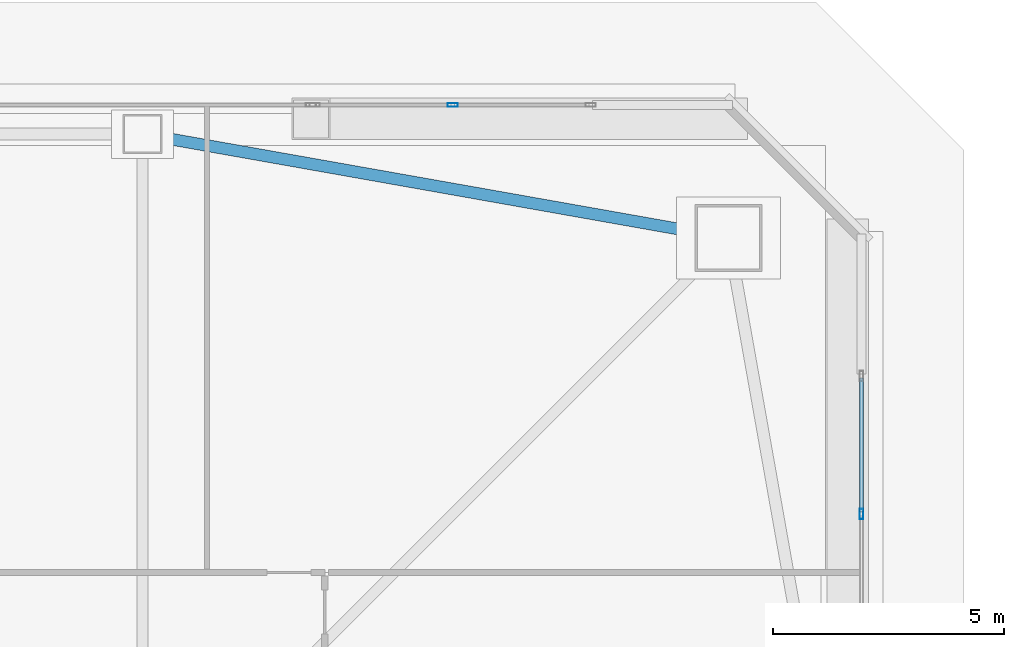
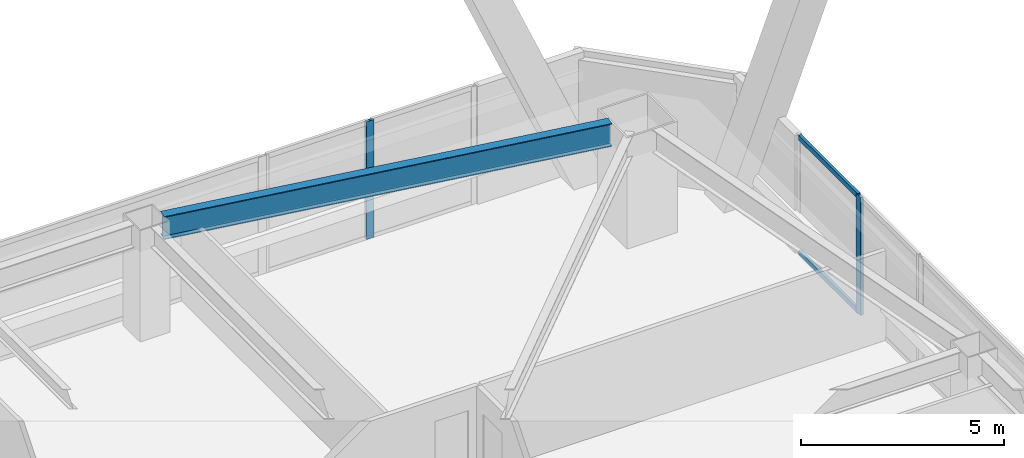
# One storey, part 28 of 67: 4 members, 1 beam, 2 elements without a shape of their own.
"""IFC4 building model written with IfcOpenShell, lengths in metres."""

from ifc_helpers import new_model, si_unit, direction, frame, origin, origin_2d, place, context, subcontext, project, spatial, hollow_rectangle, i_section, extrude, material, material_profile, profile_set, type_object, element, aggregate, save


model = new_model("IFC4")

# Units and contexts
model_context = context("Model", 3, precision=1e-05, world=origin(), true_north=direction((0.0, 1.0)))
body_context = subcontext(model_context, "Body", "Model", "MODEL_VIEW")
ifc_project = project(units=[si_unit("LENGTHUNIT", "METRE"), si_unit("AREAUNIT", "SQUARE_METRE"), si_unit("VOLUMEUNIT", "CUBIC_METRE"), si_unit("PLANEANGLEUNIT", "RADIAN"), si_unit("MASSUNIT", "GRAM", prefix="KILO")], contexts=[model_context])

# Site, building, storey
site_placement = place(None, origin())
site = spatial("IfcSite", under=ifc_project, at=site_placement, CompositionType="ELEMENT")
building_placement = place(site_placement, origin())
building = spatial("IfcBuilding", under=site, at=building_placement, Name="Tashvorn Skyway Center", CompositionType="ELEMENT")
storey_placement = place(building_placement, frame((0.0, 0.0, 67.199951171875)))
storey = spatial("IfcBuildingStorey", under=building, at=storey_placement, Name="L17", CompositionType="ELEMENT", Elevation=67.199951171875)

# Beam
ifc_material_1 = material(Name="Steel ASTM A992 Grade 50", Category="steel")
ifc_material_profile_1 = material_profile(ifc_material_1, i_section(OverallWidth=0.256103515625, OverallDepth=0.693115234375, WebThickness=0.014404296875, FlangeThickness=0.023681640625, at=origin_2d()), Name="W27X114")
ifc_profile_set_1 = profile_set([ifc_material_profile_1], Name="Steel ASTM A992 Grade 50")
beam_type = type_object("IfcBeamType", Name="BM-SPANDREL-W27X114", PredefinedType="SPANDREL", material=ifc_profile_set_1)
beam_placement = place(storey_placement, frame((59.39111328125, 50.2255859375, 3.003662109375), z_axis=(-0.98466816531, 0.174437966698, 0.0), x_axis=(-0.174437966698, -0.98466816531, 0.0)))
element("IfcBeam", 1, at=beam_placement, inside=storey, type_object=beam_type, Name="Tower 1 L17 Spandrel Beam 07", PredefinedType="SPANDREL", context=body_context, shape_type="SweptSolid", body=[
    extrude(i_section(OverallWidth=0.256103515625, OverallDepth=0.693115234375, WebThickness=0.014404296875, FlangeThickness=0.023681640625, at=origin_2d()), origin(), (0.0, 0.0, 1.0), 11.7578125),
])

# Curtain wall, member
ifc_material_2 = material(Name="Thermally broken bronze-anodized aluminium 6063-T6", Category="aluminium")
curtain_wall_type = type_object("IfcCurtainWallType", Name="CW-CW-Z2", PredefinedType="NOTDEFINED", material=ifc_material_2)
curtain_wall_1_placement = place(storey_placement, origin())
curtain_wall_1 = element("IfcCurtainWall", 2, at=curtain_wall_1_placement, inside=storey, type_object=curtain_wall_type, Name="Tower 1 L17 North Unitised Curtain Wall Glazing Group 3", PredefinedType="NOTDEFINED")
ifc_material_profile_2 = material_profile(ifc_material_2, hollow_rectangle(XDim=0.080078125, YDim=0.219970703125, WallThickness=0.0048828125, at=origin_2d()), Name="ALU-MULL-80x220")
ifc_profile_set_2 = profile_set([ifc_material_profile_2], Name="Thermally broken bronze-anodized aluminium 6063-T6")
member_type_1 = type_object("IfcMemberType", Name="CWM-CW-Z2", PredefinedType="MULLION", material=ifc_profile_set_2)
member_1_placement = place(storey_placement, frame((54.1201171875, 52.97998046875, 0.0), z_axis=(0.0, 0.0, 1.0), x_axis=(0.0, 1.0, 0.0)))
member_1 = element("IfcMember", 3, at=member_1_placement, type_object=member_type_1, Name="CW-Z2 mullion 2", PredefinedType="MULLION", context=body_context, shape_type="SweptSolid", body=[
    extrude(hollow_rectangle(XDim=0.080078125, YDim=0.219970703125, WallThickness=0.0048828125, at=origin_2d()), origin(), (0.0, 0.0, 1.0), 3.550048828125),
])
aggregate(curtain_wall_1, [member_1])

# Curtain wall, members
curtain_wall_2_placement = place(storey_placement, origin())
curtain_wall_2 = element("IfcCurtainWall", 4, at=curtain_wall_2_placement, inside=storey, type_object=curtain_wall_type, Name="Tower 1 L17 East Unitised Curtain Wall Glazing Group 1", PredefinedType="NOTDEFINED")
member_2_placement = place(storey_placement, frame((62.97998046875, 44.1201171875, 0.0), z_axis=(0.0, 0.0, 1.0), x_axis=(1.0, 0.0, 0.0)))
member_2 = element("IfcMember", 5, at=member_2_placement, type_object=member_type_1, Name="CW-Z2 mullion 2", PredefinedType="MULLION", context=body_context, shape_type="SweptSolid", body=[
    extrude(hollow_rectangle(XDim=0.080078125, YDim=0.219970703125, WallThickness=0.0048828125, at=origin_2d()), origin(), (0.0, 0.0, 1.0), 3.550048828125),
])
ifc_material_profile_3 = material_profile(ifc_material_2, hollow_rectangle(XDim=0.080078125, YDim=0.14990234375, WallThickness=0.00439453125, at=origin_2d()), Name="ALU-TRAN-80x150")
ifc_profile_set_3 = profile_set([ifc_material_profile_3], Name="Thermally broken bronze-anodized aluminium 6063-T6")
member_type_2 = type_object("IfcMemberType", Name="CWT-CW-Z2", PredefinedType="USERDEFINED", material=ifc_profile_set_3)
member_3_placement = place(storey_placement, frame((62.97998046875, 47.070068359375, 0.0400390625), z_axis=(0.0, -1.0, 0.0), x_axis=(1.0, 0.0, 0.0)))
member_3 = element("IfcMember", 6, at=member_3_placement, type_object=member_type_2, Name="CW-Z2 transom 1.1", ObjectType="TRANSOM", PredefinedType="USERDEFINED", context=body_context, shape_type="SweptSolid", body=[
    extrude(hollow_rectangle(XDim=0.080078125, YDim=0.14990234375, WallThickness=0.00439453125, at=origin_2d()), origin(), (0.0, 0.0, 1.0), 2.91015625),
])
member_4_placement = place(storey_placement, frame((62.97998046875, 47.070068359375, 3.510009765625), z_axis=(0.0, -1.0, 0.0), x_axis=(1.0, 0.0, 0.0)))
member_4 = element("IfcMember", 7, at=member_4_placement, type_object=member_type_2, Name="CW-Z2 transom 1.2", ObjectType="TRANSOM", PredefinedType="USERDEFINED", context=body_context, shape_type="SweptSolid", body=[
    extrude(hollow_rectangle(XDim=0.080078125, YDim=0.14990234375, WallThickness=0.00439453125, at=origin_2d()), origin(), (0.0, 0.0, 1.0), 2.91015625),
])
aggregate(curtain_wall_2, [member_2, member_3, member_4])

save(model, "model.ifc")
